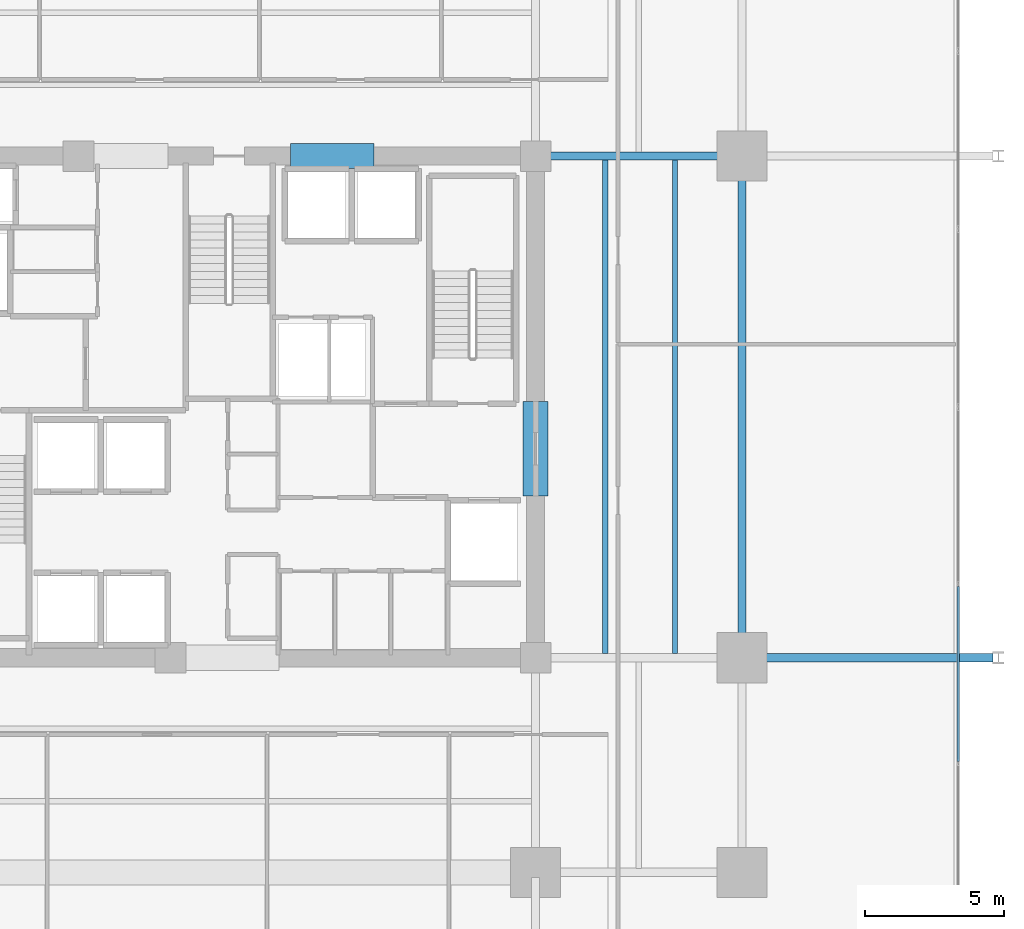
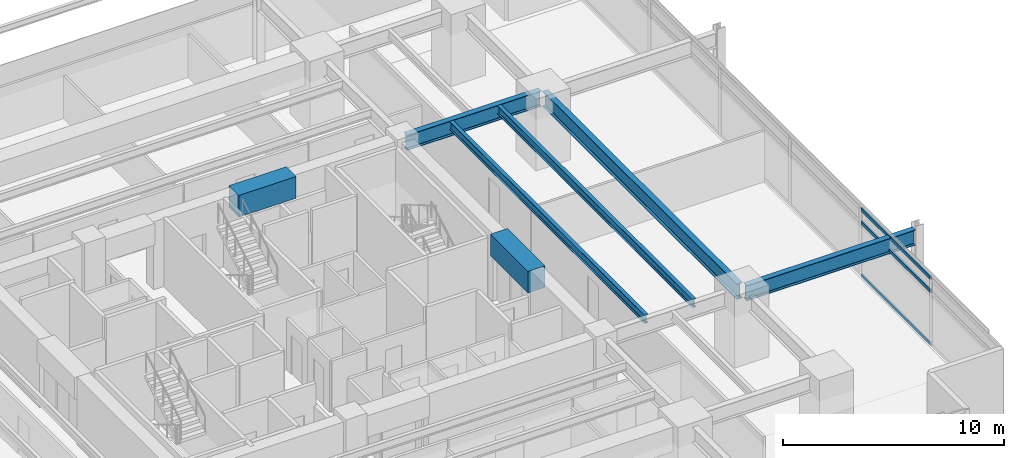
# One storey, part 8 of 20: 7 beams, 3 members, 1 element without a shape of its own.
"""IFC4 building model written with IfcOpenShell, lengths in metres."""

from ifc_helpers import new_model, si_unit, direction, frame, origin, origin_2d, place, context, subcontext, project, spatial, rectangle, hollow_rectangle, i_section, extrude, material, material_profile, profile_set, type_object, element, aggregate, save


model = new_model("IFC4")

# Units and contexts
model_context = context("Model", 3, precision=1e-05, world=origin(), true_north=direction((0.0, 1.0)))
body_context = subcontext(model_context, "Body", "Model", "MODEL_VIEW")
ifc_project = project(units=[si_unit("LENGTHUNIT", "METRE"), si_unit("AREAUNIT", "SQUARE_METRE"), si_unit("VOLUMEUNIT", "CUBIC_METRE"), si_unit("PLANEANGLEUNIT", "RADIAN"), si_unit("MASSUNIT", "GRAM", prefix="KILO")], contexts=[model_context])

# Site, building, storey
site_placement = place(None, origin())
site = spatial("IfcSite", under=ifc_project, at=site_placement, CompositionType="ELEMENT")
building_placement = place(site_placement, origin())
building = spatial("IfcBuilding", under=site, at=building_placement, Name="Kovane Verandah Tower", CompositionType="ELEMENT")
storey_placement = place(building_placement, frame((0.0, 0.0, 75.60009765625)))
storey = spatial("IfcBuildingStorey", under=building, at=storey_placement, Name="L17", CompositionType="ELEMENT", Elevation=75.60009765625)

# Beams
ifc_material_1 = material(Name="Concrete C80/95", Category="concrete")
ifc_material_profile_1 = material_profile(ifc_material_1, rectangle(XDim=0.89990234375, YDim=1.199951171875, at=origin_2d()), Name="RCB900x1200")
ifc_profile_set_1 = profile_set([ifc_material_profile_1], Name="Concrete C80/95")
beam_type_1 = type_object("IfcBeamType", Name="BM-LINTEL-900x1200", PredefinedType="LINTEL", material=ifc_profile_set_1)
beam_1_placement = place(storey_placement, frame((42.199951171875, 36.5, 3.159912109375), z_axis=(1.0, 0.0, 0.0), x_axis=(0.0, 1.0, 0.0)))
element("IfcBeam", 1, at=beam_1_placement, inside=storey, type_object=beam_type_1, Name="L17 Core Coupling Lintel CL-N2", PredefinedType="LINTEL", context=body_context, shape_type="SweptSolid", body=[
    extrude(rectangle(XDim=0.89990234375, YDim=1.199951171875, at=origin_2d()), origin(), (0.0, 0.0, 1.0), 3.0),
])
beam_2_placement = place(storey_placement, frame((51.0, 24.300048828125, 3.159912109375), z_axis=(0.0, 1.0, 0.0), x_axis=(-1.0, 0.0, 0.0)))
element("IfcBeam", 2, at=beam_2_placement, inside=storey, type_object=beam_type_1, Name="L17 Core Coupling Lintel CL-E", PredefinedType="LINTEL", context=body_context, shape_type="SweptSolid", body=[
    extrude(rectangle(XDim=0.89990234375, YDim=1.199951171875, at=origin_2d()), origin(), (0.0, 0.0, 1.0), 3.39990234375),
])
ifc_material_2 = material(Name="Steel S355", Category="steel")
ifc_material_profile_2 = material_profile(ifc_material_2, i_section(OverallWidth=0.293701171875, OverallDepth=0.850830078125, WebThickness=0.01611328125, FlangeThickness=0.02685546875, FilletRadius=0.017822265625, at=origin_2d()), Name="UB838x292x226")
ifc_profile_set_2 = profile_set([ifc_material_profile_2], Name="Steel S355")
beam_type_2 = type_object("IfcBeamType", Name="BM-UB838x226", PredefinedType="BEAM", material=ifc_profile_set_2)
beam_3_placement = place(storey_placement, frame((58.39990234375, 18.679931640625, 3.33447265625), z_axis=(0.0, 1.0, 0.0), x_axis=(-1.0, 0.0, 0.0)))
element("IfcBeam", 3, at=beam_3_placement, inside=storey, type_object=beam_type_2, Name="L17 Primary Tower Girder G-RE2", PredefinedType="BEAM", context=body_context, shape_type="SweptSolid", body=[
    extrude(i_section(OverallWidth=0.293701171875, OverallDepth=0.850830078125, WebThickness=0.01611328125, FlangeThickness=0.02685546875, FilletRadius=0.017822265625, at=origin_2d()), origin(), (0.0, 0.0, 1.0), 17.64013671875),
])
beam_4_placement = place(storey_placement, frame((51.179931640625, 36.5, 3.33447265625), z_axis=(1.0, 0.0, 0.0), x_axis=(0.0, 1.0, 0.0)))
element("IfcBeam", 4, at=beam_4_placement, inside=storey, type_object=beam_type_2, Name="L17 Primary Tower Girder G-E2", PredefinedType="BEAM", context=body_context, shape_type="SweptSolid", body=[
    extrude(i_section(OverallWidth=0.293701171875, OverallDepth=0.850830078125, WebThickness=0.01611328125, FlangeThickness=0.02685546875, FilletRadius=0.017822265625, at=origin_2d()), origin(), (0.0, 0.0, 1.0), 7.0400390625),
])
beam_5_placement = place(storey_placement, frame((58.580078125, 18.5, 3.33447265625), z_axis=(1.0, 0.0, 0.0), x_axis=(0.0, 1.0, 0.0)))
element("IfcBeam", 5, at=beam_5_placement, inside=storey, type_object=beam_type_2, Name="L17 Primary Tower Girder G-VE1", PredefinedType="BEAM", context=body_context, shape_type="SweptSolid", body=[
    extrude(i_section(OverallWidth=0.293701171875, OverallDepth=0.850830078125, WebThickness=0.01611328125, FlangeThickness=0.02685546875, FilletRadius=0.017822265625, at=origin_2d()), origin(), (0.0, 0.0, 1.0), 8.83984375),
])

# Curtain wall, members
ifc_material_3 = material(Name="Champagne Anodised Aluminium Frame with Low-E Clear Laminated Glass", Category="aluminium")
curtain_wall_type = type_object("IfcCurtainWallType", Name="CW-SYS-02-LOW", PredefinedType="NOTDEFINED", material=ifc_material_3)
curtain_wall_placement = place(storey_placement, origin())
curtain_wall = element("IfcCurtainWall", 6, at=curtain_wall_placement, inside=storey, type_object=curtain_wall_type, Name="L17 E Unitised Curtain Wall", PredefinedType="NOTDEFINED")
ifc_material_4 = material(Name="Champagne Anodised Aluminium 6063-T6", Category="aluminium")
ifc_material_profile_3 = material_profile(ifc_material_4, hollow_rectangle(XDim=0.0849609375, YDim=0.18994140625, WallThickness=0.00390625, at=origin_2d()), Name="AL85x190x4")
ifc_profile_set_3 = profile_set([ifc_material_profile_3], Name="Champagne Anodised Aluminium 6063-T6")
member_type = type_object("IfcMemberType", Name="CW-TRN-85x190", PredefinedType="USERDEFINED", material=ifc_profile_set_3)
member_1_placement = place(storey_placement, frame((66.162353515625, 14.781005859375, 0.0498046875), z_axis=(0.0, 1.0, 0.0), x_axis=(-1.0, 0.0, 0.0)))
member_1 = element("IfcMember", 7, at=member_1_placement, type_object=member_type, Name="L17 E Unitised Curtain Wall Transom TB Bay 2", ObjectType="TRANSOM", PredefinedType="USERDEFINED", context=body_context, shape_type="SweptSolid", body=[
    extrude(hollow_rectangle(XDim=0.0849609375, YDim=0.18994140625, WallThickness=0.00390625, at=origin_2d()), origin(), (0.0, 0.0, 1.0), 6.284423828125),
])
member_2_placement = place(storey_placement, frame((66.162353515625, 14.781005859375, 2.97998046875), z_axis=(0.0, 1.0, 0.0), x_axis=(-1.0, 0.0, 0.0)))
member_2 = element("IfcMember", 8, at=member_2_placement, type_object=member_type, Name="L17 E Unitised Curtain Wall Transom TM Bay 2", ObjectType="TRANSOM", PredefinedType="USERDEFINED", context=body_context, shape_type="SweptSolid", body=[
    extrude(hollow_rectangle(XDim=0.0849609375, YDim=0.18994140625, WallThickness=0.00390625, at=origin_2d()), origin(), (0.0, 0.0, 1.0), 6.284423828125),
])
member_3_placement = place(storey_placement, frame((66.162353515625, 14.781005859375, 3.7099609375), z_axis=(0.0, 1.0, 0.0), x_axis=(-1.0, 0.0, 0.0)))
member_3 = element("IfcMember", 9, at=member_3_placement, type_object=member_type, Name="L17 E Unitised Curtain Wall Transom TT Bay 2", ObjectType="TRANSOM", PredefinedType="USERDEFINED", context=body_context, shape_type="SweptSolid", body=[
    extrude(hollow_rectangle(XDim=0.0849609375, YDim=0.18994140625, WallThickness=0.00390625, at=origin_2d()), origin(), (0.0, 0.0, 1.0), 6.284423828125),
])
aggregate(curtain_wall, [member_1, member_2, member_3])

# Beams
ifc_material_profile_4 = material_profile(ifc_material_2, i_section(OverallWidth=0.19287109375, OverallDepth=0.46728515625, WebThickness=0.011474609375, FlangeThickness=0.01953125, FilletRadius=0.01025390625, at=origin_2d()), Name="UB457x191x98")
ifc_profile_set_4 = profile_set([ifc_material_profile_4], Name="Steel S355")
beam_type_3 = type_object("IfcBeamType", Name="JST-UB457x98", PredefinedType="JOIST", material=ifc_profile_set_4)
for number, where, z_axis, x_axis, name in (
    (10, (53.5, 18.64501953125, 3.5263671875), (0.0, 1.0, 0.0), (-1.0, 0.0, 0.0), "L17 Secondary Composite Joist J-E1"),
    (11, (56.0, 18.64501953125, 3.5263671875), (0.0, 1.0, 0.0), (-1.0, 0.0, 0.0), "L17 Secondary Composite Joist J-E2"),
):
    element("IfcBeam", number, at=place(storey_placement, frame(where, z_axis=z_axis, x_axis=x_axis)), inside=storey, type_object=beam_type_3, Name=name, PredefinedType="JOIST", context=body_context, shape_type="SweptSolid", body=[
        extrude(i_section(OverallWidth=0.19287109375, OverallDepth=0.46728515625, WebThickness=0.011474609375, FlangeThickness=0.01953125, FilletRadius=0.01025390625, at=origin_2d()), origin(), (0.0, 0.0, 1.0), 17.7099609375),
    ])

save(model, "model.ifc")
